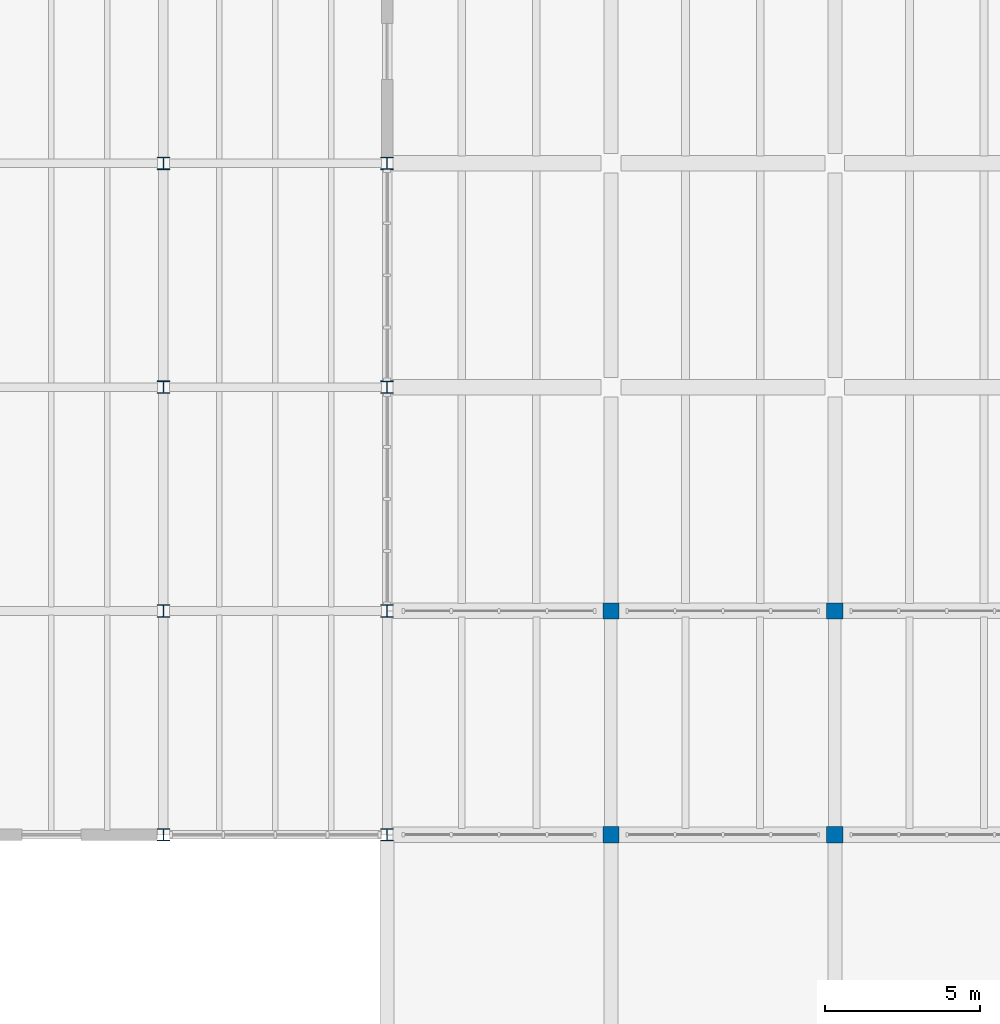
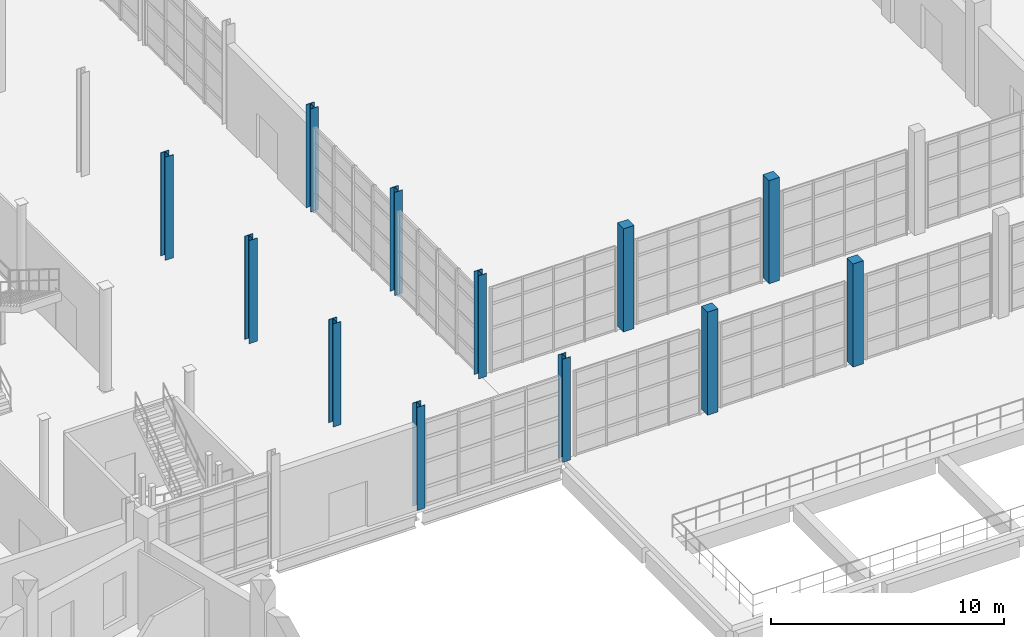
# One storey, part 8 of 79: 12 columns.
"""IFC4 building model written with IfcOpenShell, lengths in metres."""

import ifcopenshell
import ifcopenshell.guid

model = None  # the IFC model being written
_history = None  # IfcOwnerHistory: only IFC2X3 demands one
_inside = {}  # id of a spatial element -> (the spatial element, [elements in it])
_under = {}  # id of a project, library or spatial element -> (it, [spatial elements below it])
_declared = {}  # id of a project -> (the project, [libraries it declares])
_typed = {}  # id of a type object -> (the type object, [elements of that type])
_made_of = {}  # id of a material, layer set ... -> (it, [elements and type objects made of it])


def new_model(schema):
    """Start an empty IFC model of exactly this schema.

    Asked for "IFC4X3", IfcOpenShell would pick the latest addendum, in which some entities
    have other attributes; the version numbers below select the first issue.
    IFC2X3 requires an IfcOwnerHistory on every rooted entity: one is made here for all.
    """
    global model, _history
    if schema == "IFC4X3":
        model = ifcopenshell.file(schema_version=(4, 3, 0, 0))
    else:
        model = ifcopenshell.file(schema=schema)
    _inside.clear()
    _under.clear()
    _declared.clear()
    _typed.clear()
    _made_of.clear()
    _history = None
    if model.schema == "IFC2X3":
        org = make("IfcOrganization", Name="unknown")
        user = make(
            "IfcPersonAndOrganization",
            ThePerson=make("IfcPerson", FamilyName="unknown"),
            TheOrganization=org,
        )
        app = make(
            "IfcApplication",
            ApplicationDeveloper=org,
            Version="unknown",
            ApplicationFullName="unknown",
            ApplicationIdentifier="unknown",
        )
        _history = make(
            "IfcOwnerHistory",
            OwningUser=user,
            OwningApplication=app,
            ChangeAction="ADDED",
            CreationDate=0,
        )
    return model


def make(cls, **values):
    """One entity of the class cls with the attributes given. An attribute that is None is left unset."""
    return model.create_entity(
        cls, **{name: value for name, value in values.items() if value is not None}
    )


def rooted(cls, **values):
    """An entity with a GlobalId (a new one), such as an element, a storey or a relation."""
    return make(cls, GlobalId=ifcopenshell.guid.new(), OwnerHistory=_history, **values)


def si_unit(unit_type, name, prefix=None):
    """IfcSIUnit, for example si_unit("LENGTHUNIT", "METRE", prefix="MILLI")."""
    return make("IfcSIUnit", UnitType=unit_type, Prefix=prefix, Name=name)


def assignment(units):
    """IfcUnitAssignment: the units of a project."""
    return None if units is None else make("IfcUnitAssignment", Units=units)


def point(xyz):
    """IfcCartesianPoint."""
    return None if xyz is None else make("IfcCartesianPoint", Coordinates=xyz)


def direction(xyz):
    """IfcDirection."""
    return None if xyz is None else make("IfcDirection", DirectionRatios=xyz)


def frame(location, z_axis=None, x_axis=None):
    """IfcAxis2Placement3D, a coordinate frame: its origin and axes. An axis left out is left unset."""
    return make(
        "IfcAxis2Placement3D",
        Location=point(location),
        Axis=direction(z_axis),
        RefDirection=direction(x_axis),
    )


def frame_2d(location, x_axis=None):
    """IfcAxis2Placement2D, a coordinate frame in the plane: its origin and x axis."""
    return make(
        "IfcAxis2Placement2D", Location=point(location), RefDirection=direction(x_axis)
    )


def origin():
    """The frame at (0, 0, 0) with its axes left unset."""
    return frame((0.0, 0.0, 0.0))


def origin_2d():
    """The frame at (0, 0) in the plane with its x axis left unset."""
    return frame_2d((0.0, 0.0))


def place(relative_to, where):
    """IfcLocalPlacement: puts the frame where relative to a parent placement (None: the world)."""
    return make(
        "IfcLocalPlacement", PlacementRelTo=relative_to, RelativePlacement=where
    )


def context(
    kind, dimensions, precision=None, world=None, true_north=None, identifier=None
):
    """IfcGeometricRepresentationContext, for example the 3D "Model" context."""
    return make(
        "IfcGeometricRepresentationContext",
        ContextIdentifier=identifier,
        ContextType=kind,
        CoordinateSpaceDimension=dimensions,
        Precision=precision,
        WorldCoordinateSystem=world,
        TrueNorth=true_north,
    )


def subcontext(parent, identifier, kind, view, scale=None):
    """IfcGeometricRepresentationSubContext, for example "Body" below "Model"."""
    return make(
        "IfcGeometricRepresentationSubContext",
        ContextIdentifier=identifier,
        ContextType=kind,
        ParentContext=parent,
        TargetScale=scale,
        TargetView=view,
    )


def project(units=None, contexts=None):
    """IfcProject with its units and contexts."""
    return rooted(
        "IfcProject",
        Name="project",
        RepresentationContexts=contexts,
        UnitsInContext=assignment(units),
    )


def spatial(cls, under=None, at=None, **own):
    """A site, building, storey or space (cls), placed at a placement, below another one or the project."""
    s = rooted(cls, ObjectPlacement=at, **own)
    if under is not None:
        _under.setdefault(under.id(), (under, []))[1].append(s)
    return s


def profile(cls, at=None, kind="AREA", **sizes):
    """A parametric profile (cls). Its sizes go by their IFC names, for example OverallWidth=200.0."""
    return make(cls, ProfileType=kind, Position=at, **sizes)


def rectangle(**sizes):
    """IfcRectangleProfileDef."""
    return profile("IfcRectangleProfileDef", **sizes)


def i_section(**sizes):
    """IfcIShapeProfileDef."""
    return profile("IfcIShapeProfileDef", **sizes)


def extrude(swept, where, along, depth):
    """IfcExtrudedAreaSolid: the profile swept, set in the frame where, extruded along a direction by depth."""
    return make(
        "IfcExtrudedAreaSolid",
        SweptArea=swept,
        Position=where,
        ExtrudedDirection=direction(along),
        Depth=depth,
    )


def shape(context_of_items, identifier, shape_type, items):
    """IfcShapeRepresentation: the items that make up one representation, for example the "Body"."""
    return make(
        "IfcShapeRepresentation",
        ContextOfItems=context_of_items,
        RepresentationIdentifier=identifier,
        RepresentationType=shape_type,
        Items=items,
    )


def material(Name=None, Category=None):
    """IfcMaterial."""
    return make("IfcMaterial", Name=Name, Category=Category)


def material_profile(
    of_material, cross_section, Name=None, Category=None, Priority=None
):
    """IfcMaterialProfile: a cross section and its material."""
    return make(
        "IfcMaterialProfile",
        Name=Name,
        Material=of_material,
        Profile=cross_section,
        Priority=Priority,
        Category=Category,
    )


def profile_set(profiles, Name=None, composite=None):
    """IfcMaterialProfileSet."""
    return make(
        "IfcMaterialProfileSet",
        Name=Name,
        MaterialProfiles=profiles,
        CompositeProfile=composite,
    )


def made_of(thing, what):
    """Note that an element or type object is made of a material, layer set ...; save() writes the relation."""
    if what is not None:
        _made_of.setdefault(what.id(), (what, []))[1].append(thing)
    return thing


def type_object(cls, material=None, **own):
    """A type object (cls), such as IfcWallType, which elements share."""
    return made_of(rooted(cls, **own), material)


def element(
    cls,
    number,
    at=None,
    inside=None,
    cuts=None,
    type_object=None,
    material=None,
    context=None,
    identifier="Body",
    shape_type=None,
    held_by="IfcProductDefinitionShape",
    body=None,
    shapes=None,
    **own,
):
    """One element of the class cls, such as IfcWall. Its Tag is "e" and its number.

    at: its placement. inside: the storey or other place that contains it. cuts: it is an
    opening in that element (IfcRelVoidsElement). A single representation is given by context,
    identifier, shape_type and body (its items); several are given by shapes. held_by: the class
    of the entity that holds the representations. save() writes the other relations.
    """
    e = rooted(cls, Tag="e%d" % number, ObjectPlacement=at, **own)
    if body is not None:
        shapes = [shape(context, identifier, shape_type, body)]
    if shapes is not None:
        e.Representation = make(held_by, Representations=shapes)
    if inside is not None:
        _inside.setdefault(inside.id(), (inside, []))[1].append(e)
    if cuts is not None:
        rooted(
            "IfcRelVoidsElement", RelatingBuildingElement=cuts, RelatedOpeningElement=e
        )
    if type_object is not None:
        _typed.setdefault(type_object.id(), (type_object, []))[1].append(e)
    return made_of(e, material)


def aggregate(whole, parts):
    """IfcRelAggregates: a whole, such as a stair, and the parts it consists of."""
    return rooted("IfcRelAggregates", RelatingObject=whole, RelatedObjects=parts)


def save(model, path):
    """Write the relations noted so far, then the file.

    IfcRelAggregates (storeys below a building ...), IfcRelContainedInSpatialStructure (elements
    in a storey), IfcRelDefinesByType, IfcRelAssociatesMaterial and IfcRelDeclares: one each for
    every whole, place, type object, material and project.
    """
    for whole, parts in _under.values():
        aggregate(whole, parts)
    for where, things in _inside.values():
        rooted(
            "IfcRelContainedInSpatialStructure",
            RelatedElements=things,
            RelatingStructure=where,
        )
    for kind, things in _typed.values():
        rooted("IfcRelDefinesByType", RelatedObjects=things, RelatingType=kind)
    for what, things in _made_of.values():
        rooted("IfcRelAssociatesMaterial", RelatedObjects=things, RelatingMaterial=what)
    for by, libraries in _declared.values():
        rooted("IfcRelDeclares", RelatingContext=by, RelatedDefinitions=libraries)
    model.write(path)


model = new_model("IFC4")

# Units and contexts
model_context = context("Model", 3, precision=1e-05, world=origin(), true_north=direction((0.0, 1.0)))
body_context = subcontext(model_context, "Body", "Model", "MODEL_VIEW")
ifc_project = project(units=[si_unit("LENGTHUNIT", "METRE"), si_unit("AREAUNIT", "SQUARE_METRE"), si_unit("VOLUMEUNIT", "CUBIC_METRE"), si_unit("PLANEANGLEUNIT", "RADIAN"), si_unit("MASSUNIT", "GRAM", prefix="KILO")], contexts=[model_context])

# Site, building, storey
site_placement = place(None, origin())
site = spatial("IfcSite", under=ifc_project, at=site_placement, CompositionType="ELEMENT")
building_placement = place(site_placement, origin())
building = spatial("IfcBuilding", under=site, at=building_placement, Name="Qiaolan Assembly House", CompositionType="ELEMENT")
storey_placement = place(building_placement, origin())
storey = spatial("IfcBuildingStorey", under=building, at=storey_placement, Name="L00", CompositionType="ELEMENT", Elevation=0.0)

# Columns
ifc_material_1 = material(Name="Steel Q355B", Category="steel")
ifc_material_profile_1 = material_profile(ifc_material_1, i_section(OverallWidth=0.39990234375, OverallDepth=0.39990234375, WebThickness=0.012939453125, FlangeThickness=0.02099609375, FilletRadius=0.02197265625, at=origin_2d()), Name="HW 400x400x13x21")
ifc_profile_set_1 = profile_set([ifc_material_profile_1], Name="Steel Q355B")
column_type_1 = type_object("IfcColumnType", Name="COL-STL-HW400", PredefinedType="COLUMN", material=ifc_profile_set_1)
for number, where, z_axis, x_axis, name in (
    (1, (100.800048828125, 36.0, 0.0), (0.0, 0.0, 1.0), (1.0, 0.0, 0.0), "SC-01 hall column L00"),
    (2, (100.800048828125, 43.199951171875, 0.0), (0.0, 0.0, 1.0), (1.0, 0.0, 0.0), "SC-01 hall column L00"),
    (3, (100.800048828125, 50.39990234375, 0.0), (0.0, 0.0, 1.0), (1.0, 0.0, 0.0), "SC-01 hall column L00"),
    (4, (100.800048828125, 57.60009765625, 0.0), (0.0, 0.0, 1.0), (1.0, 0.0, 0.0), "SC-01 hall column L00"),
    (5, (108.0, 36.0, 0.0), (0.0, 0.0, 1.0), (1.0, 0.0, 0.0), "SC-01 hall column L00"),
    (6, (108.0, 43.199951171875, 0.0), (0.0, 0.0, 1.0), (1.0, 0.0, 0.0), "SC-01 hall column L00"),
    (7, (108.0, 50.39990234375, 0.0), (0.0, 0.0, 1.0), (1.0, 0.0, 0.0), "SC-01 hall column L00"),
    (8, (108.0, 57.60009765625, 0.0), (0.0, 0.0, 1.0), (1.0, 0.0, 0.0), "SC-01 hall column L00"),
):
    element("IfcColumn", number, at=place(storey_placement, frame(where, z_axis=z_axis, x_axis=x_axis)), inside=storey, type_object=column_type_1, Name=name, PredefinedType="COLUMN", context=body_context, shape_type="SweptSolid", body=[
        extrude(i_section(OverallWidth=0.39990234375, OverallDepth=0.39990234375, WebThickness=0.012939453125, FlangeThickness=0.02099609375, FilletRadius=0.02197265625, at=origin_2d()), origin(), (0.0, 0.0, 1.0), 5.39990234375),
    ])
ifc_material_2 = material(Name="Precast concrete C45/55", Category="concrete")
ifc_material_profile_2 = material_profile(ifc_material_2, rectangle(XDim=0.52001953125, YDim=0.52001953125, at=origin_2d()), Name="PIL 520x520")
ifc_profile_set_2 = profile_set([ifc_material_profile_2], Name="Precast concrete C45/55")
column_type_2 = type_object("IfcColumnType", Name="PIL-CLOISTER-520", PredefinedType="PILASTER", material=ifc_profile_set_2)
for number, where, z_axis, x_axis, name in (
    (9, (115.199951171875, 36.0, 0.0), (0.0, 0.0, 1.0), (1.0, 0.0, 0.0), "PL-06 cloister pier L00"),
    (10, (115.199951171875, 43.199951171875, 0.0), (0.0, 0.0, 1.0), (1.0, 0.0, 0.0), "PL-06 cloister pier L00"),
    (11, (122.39990234375, 36.0, 0.0), (0.0, 0.0, 1.0), (1.0, 0.0, 0.0), "PL-06 cloister pier L00"),
    (12, (122.39990234375, 43.199951171875, 0.0), (0.0, 0.0, 1.0), (1.0, 0.0, 0.0), "PL-06 cloister pier L00"),
):
    element("IfcColumn", number, at=place(storey_placement, frame(where, z_axis=z_axis, x_axis=x_axis)), inside=storey, type_object=column_type_2, Name=name, PredefinedType="PILASTER", context=body_context, shape_type="SweptSolid", body=[
        extrude(rectangle(XDim=0.52001953125, YDim=0.52001953125, at=origin_2d()), origin(), (0.0, 0.0, 1.0), 5.39990234375),
    ])

save(model, "model.ifc")
